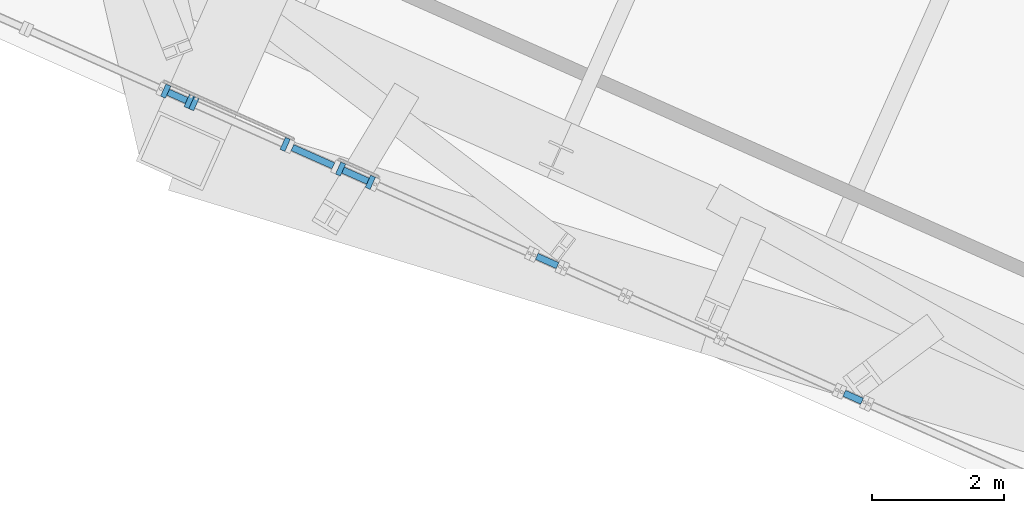
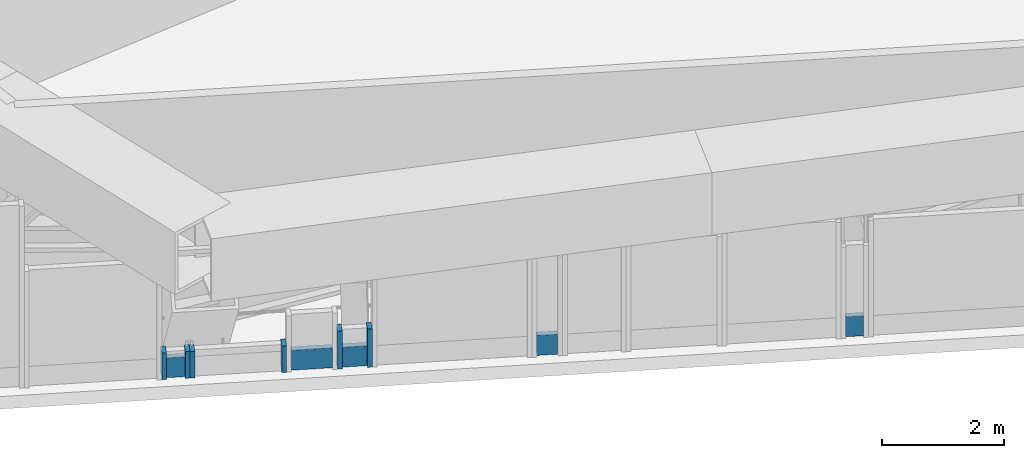
# One storey, part 10 of 30: 11 members, 6 elements without a shape of their own.
"""IFC4 building model written with IfcOpenShell, lengths in metres."""

import ifcopenshell
import ifcopenshell.guid

model = None  # the IFC model being written
_history = None  # IfcOwnerHistory: only IFC2X3 demands one
_inside = {}  # id of a spatial element -> (the spatial element, [elements in it])
_under = {}  # id of a project, library or spatial element -> (it, [spatial elements below it])
_declared = {}  # id of a project -> (the project, [libraries it declares])
_typed = {}  # id of a type object -> (the type object, [elements of that type])
_made_of = {}  # id of a material, layer set ... -> (it, [elements and type objects made of it])


def new_model(schema):
    """Start an empty IFC model of exactly this schema.

    Asked for "IFC4X3", IfcOpenShell would pick the latest addendum, in which some entities
    have other attributes; the version numbers below select the first issue.
    IFC2X3 requires an IfcOwnerHistory on every rooted entity: one is made here for all.
    """
    global model, _history
    if schema == "IFC4X3":
        model = ifcopenshell.file(schema_version=(4, 3, 0, 0))
    else:
        model = ifcopenshell.file(schema=schema)
    _inside.clear()
    _under.clear()
    _declared.clear()
    _typed.clear()
    _made_of.clear()
    _history = None
    if model.schema == "IFC2X3":
        org = make("IfcOrganization", Name="unknown")
        user = make(
            "IfcPersonAndOrganization",
            ThePerson=make("IfcPerson", FamilyName="unknown"),
            TheOrganization=org,
        )
        app = make(
            "IfcApplication",
            ApplicationDeveloper=org,
            Version="unknown",
            ApplicationFullName="unknown",
            ApplicationIdentifier="unknown",
        )
        _history = make(
            "IfcOwnerHistory",
            OwningUser=user,
            OwningApplication=app,
            ChangeAction="ADDED",
            CreationDate=0,
        )
    return model


def make(cls, **values):
    """One entity of the class cls with the attributes given. An attribute that is None is left unset."""
    return model.create_entity(
        cls, **{name: value for name, value in values.items() if value is not None}
    )


def rooted(cls, **values):
    """An entity with a GlobalId (a new one), such as an element, a storey or a relation."""
    return make(cls, GlobalId=ifcopenshell.guid.new(), OwnerHistory=_history, **values)


def si_unit(unit_type, name, prefix=None):
    """IfcSIUnit, for example si_unit("LENGTHUNIT", "METRE", prefix="MILLI")."""
    return make("IfcSIUnit", UnitType=unit_type, Prefix=prefix, Name=name)


def assignment(units):
    """IfcUnitAssignment: the units of a project."""
    return None if units is None else make("IfcUnitAssignment", Units=units)


def point(xyz):
    """IfcCartesianPoint."""
    return None if xyz is None else make("IfcCartesianPoint", Coordinates=xyz)


def direction(xyz):
    """IfcDirection."""
    return None if xyz is None else make("IfcDirection", DirectionRatios=xyz)


def frame(location, z_axis=None, x_axis=None):
    """IfcAxis2Placement3D, a coordinate frame: its origin and axes. An axis left out is left unset."""
    return make(
        "IfcAxis2Placement3D",
        Location=point(location),
        Axis=direction(z_axis),
        RefDirection=direction(x_axis),
    )


def frame_2d(location, x_axis=None):
    """IfcAxis2Placement2D, a coordinate frame in the plane: its origin and x axis."""
    return make(
        "IfcAxis2Placement2D", Location=point(location), RefDirection=direction(x_axis)
    )


def origin():
    """The frame at (0, 0, 0) with its axes left unset."""
    return frame((0.0, 0.0, 0.0))


def origin_2d():
    """The frame at (0, 0) in the plane with its x axis left unset."""
    return frame_2d((0.0, 0.0))


def place(relative_to, where):
    """IfcLocalPlacement: puts the frame where relative to a parent placement (None: the world)."""
    return make(
        "IfcLocalPlacement", PlacementRelTo=relative_to, RelativePlacement=where
    )


def context(
    kind, dimensions, precision=None, world=None, true_north=None, identifier=None
):
    """IfcGeometricRepresentationContext, for example the 3D "Model" context."""
    return make(
        "IfcGeometricRepresentationContext",
        ContextIdentifier=identifier,
        ContextType=kind,
        CoordinateSpaceDimension=dimensions,
        Precision=precision,
        WorldCoordinateSystem=world,
        TrueNorth=true_north,
    )


def subcontext(parent, identifier, kind, view, scale=None):
    """IfcGeometricRepresentationSubContext, for example "Body" below "Model"."""
    return make(
        "IfcGeometricRepresentationSubContext",
        ContextIdentifier=identifier,
        ContextType=kind,
        ParentContext=parent,
        TargetScale=scale,
        TargetView=view,
    )


def project(units=None, contexts=None):
    """IfcProject with its units and contexts."""
    return rooted(
        "IfcProject",
        Name="project",
        RepresentationContexts=contexts,
        UnitsInContext=assignment(units),
    )


def spatial(cls, under=None, at=None, **own):
    """A site, building, storey or space (cls), placed at a placement, below another one or the project."""
    s = rooted(cls, ObjectPlacement=at, **own)
    if under is not None:
        _under.setdefault(under.id(), (under, []))[1].append(s)
    return s


def profile(cls, at=None, kind="AREA", **sizes):
    """A parametric profile (cls). Its sizes go by their IFC names, for example OverallWidth=200.0."""
    return make(cls, ProfileType=kind, Position=at, **sizes)


def rectangle(**sizes):
    """IfcRectangleProfileDef."""
    return profile("IfcRectangleProfileDef", **sizes)


def extrude(swept, where, along, depth):
    """IfcExtrudedAreaSolid: the profile swept, set in the frame where, extruded along a direction by depth."""
    return make(
        "IfcExtrudedAreaSolid",
        SweptArea=swept,
        Position=where,
        ExtrudedDirection=direction(along),
        Depth=depth,
    )


def shape(context_of_items, identifier, shape_type, items):
    """IfcShapeRepresentation: the items that make up one representation, for example the "Body"."""
    return make(
        "IfcShapeRepresentation",
        ContextOfItems=context_of_items,
        RepresentationIdentifier=identifier,
        RepresentationType=shape_type,
        Items=items,
    )


def source(mapping_origin, context_of_items, identifier, shape_type, items):
    """IfcRepresentationMap: a shape defined once, which mapped items show again and again."""
    return make(
        "IfcRepresentationMap",
        MappingOrigin=mapping_origin,
        MappedRepresentation=shape(context_of_items, identifier, shape_type, items),
    )


def transform(
    local_origin,
    x_axis=None,
    y_axis=None,
    z_axis=None,
    scale=None,
    scale2=None,
    scale3=None,
    uniform=True,
):
    """IfcCartesianTransformationOperator3D, or its non-uniform kind. x_axis, y_axis, z_axis: its Axis1, 2, 3."""
    if uniform:
        return make(
            "IfcCartesianTransformationOperator3D",
            Axis1=direction(x_axis),
            Axis2=direction(y_axis),
            LocalOrigin=point(local_origin),
            Scale=scale,
            Axis3=direction(z_axis),
        )
    return make(
        "IfcCartesianTransformationOperator3DnonUniform",
        Axis1=direction(x_axis),
        Axis2=direction(y_axis),
        LocalOrigin=point(local_origin),
        Scale=scale,
        Axis3=direction(z_axis),
        Scale2=scale2,
        Scale3=scale3,
    )


def mapped(mapping_source, mapping_target):
    """IfcMappedItem: shows the shape of a source again, moved by a transform."""
    return make(
        "IfcMappedItem", MappingSource=mapping_source, MappingTarget=mapping_target
    )


def material(Name=None, Category=None):
    """IfcMaterial."""
    return make("IfcMaterial", Name=Name, Category=Category)


def material_profile(
    of_material, cross_section, Name=None, Category=None, Priority=None
):
    """IfcMaterialProfile: a cross section and its material."""
    return make(
        "IfcMaterialProfile",
        Name=Name,
        Material=of_material,
        Profile=cross_section,
        Priority=Priority,
        Category=Category,
    )


def profile_set(profiles, Name=None, composite=None):
    """IfcMaterialProfileSet."""
    return make(
        "IfcMaterialProfileSet",
        Name=Name,
        MaterialProfiles=profiles,
        CompositeProfile=composite,
    )


def made_of(thing, what):
    """Note that an element or type object is made of a material, layer set ...; save() writes the relation."""
    if what is not None:
        _made_of.setdefault(what.id(), (what, []))[1].append(thing)
    return thing


def type_object(cls, material=None, **own):
    """A type object (cls), such as IfcWallType, which elements share."""
    return made_of(rooted(cls, **own), material)


def element(
    cls,
    number,
    at=None,
    inside=None,
    cuts=None,
    type_object=None,
    material=None,
    context=None,
    identifier="Body",
    shape_type=None,
    held_by="IfcProductDefinitionShape",
    body=None,
    shapes=None,
    **own,
):
    """One element of the class cls, such as IfcWall. Its Tag is "e" and its number.

    at: its placement. inside: the storey or other place that contains it. cuts: it is an
    opening in that element (IfcRelVoidsElement). A single representation is given by context,
    identifier, shape_type and body (its items); several are given by shapes. held_by: the class
    of the entity that holds the representations. save() writes the other relations.
    """
    e = rooted(cls, Tag="e%d" % number, ObjectPlacement=at, **own)
    if body is not None:
        shapes = [shape(context, identifier, shape_type, body)]
    if shapes is not None:
        e.Representation = make(held_by, Representations=shapes)
    if inside is not None:
        _inside.setdefault(inside.id(), (inside, []))[1].append(e)
    if cuts is not None:
        rooted(
            "IfcRelVoidsElement", RelatingBuildingElement=cuts, RelatedOpeningElement=e
        )
    if type_object is not None:
        _typed.setdefault(type_object.id(), (type_object, []))[1].append(e)
    return made_of(e, material)


def aggregate(whole, parts):
    """IfcRelAggregates: a whole, such as a stair, and the parts it consists of."""
    return rooted("IfcRelAggregates", RelatingObject=whole, RelatedObjects=parts)


def save(model, path):
    """Write the relations noted so far, then the file.

    IfcRelAggregates (storeys below a building ...), IfcRelContainedInSpatialStructure (elements
    in a storey), IfcRelDefinesByType, IfcRelAssociatesMaterial and IfcRelDeclares: one each for
    every whole, place, type object, material and project.
    """
    for whole, parts in _under.values():
        aggregate(whole, parts)
    for where, things in _inside.values():
        rooted(
            "IfcRelContainedInSpatialStructure",
            RelatedElements=things,
            RelatingStructure=where,
        )
    for kind, things in _typed.values():
        rooted("IfcRelDefinesByType", RelatedObjects=things, RelatingType=kind)
    for what, things in _made_of.values():
        rooted("IfcRelAssociatesMaterial", RelatedObjects=things, RelatingMaterial=what)
    for by, libraries in _declared.values():
        rooted("IfcRelDeclares", RelatingContext=by, RelatedDefinitions=libraries)
    model.write(path)


model = new_model("IFC4")

# Units and contexts
model_context = context("Model", 3, precision=1e-05, world=origin(), true_north=direction((0.0, 1.0)))
body_context = subcontext(model_context, "Body", "Model", "MODEL_VIEW")
ifc_project = project(units=[si_unit("LENGTHUNIT", "METRE"), si_unit("AREAUNIT", "SQUARE_METRE"), si_unit("VOLUMEUNIT", "CUBIC_METRE"), si_unit("PLANEANGLEUNIT", "RADIAN"), si_unit("MASSUNIT", "GRAM", prefix="KILO")], contexts=[model_context])

# Site, building, storey
site_placement = place(None, origin())
site = spatial("IfcSite", under=ifc_project, at=site_placement, CompositionType="ELEMENT")
building_placement = place(site_placement, origin())
building = spatial("IfcBuilding", under=site, at=building_placement, Name="Triune Harvest Tower", CompositionType="ELEMENT")
storey_placement = place(building_placement, frame((0.0, 0.0, 94.5)))
storey = spatial("IfcBuildingStorey", under=building, at=storey_placement, Name="L23", CompositionType="ELEMENT", Elevation=94.5)

# Curtain wall, member
ifc_material_1 = material(Name="Aluminium bronze anodised", Category="aluminium")
curtain_wall_type = type_object("IfcCurtainWallType", Name="CW-5 Plant louvre wall", PredefinedType="NOTDEFINED", material=ifc_material_1)
curtain_wall_1_placement = place(storey_placement, origin())
curtain_wall_1 = element("IfcCurtainWall", 1, at=curtain_wall_1_placement, inside=storey, type_object=curtain_wall_type, Name="CW-5 B2-F5 L23 run 201")
ifc_material_2 = material(Name="Aluminium bronze anodised", Category="aluminium")
ifc_material_profile_1 = material_profile(ifc_material_2, rectangle(XDim=0.10009765625, YDim=0.39990234375, at=origin_2d()), Name="TR-5 transom 100 x 400")
ifc_profile_set_1 = profile_set([ifc_material_profile_1], Name="Aluminium bronze anodised")
member_type_1 = type_object("IfcMemberType", Name="TR-5 transom 100 x 400", PredefinedType="USERDEFINED", material=ifc_profile_set_1)
member_1_placement = place(storey_placement, frame((-30.322509765625, -11.345458984375, 0.199951171875), z_axis=(0.913713143502, -0.406359805335, 0.0), x_axis=(0.406359805335, 0.913713143502, 0.0)))
member_1 = element("IfcMember", 2, at=member_1_placement, type_object=member_type_1, Name="CW-5 transom B2-F5 201.1", ObjectType="TRANSOM", PredefinedType="USERDEFINED", context=body_context, shape_type="SweptSolid", body=[
    extrude(rectangle(XDim=0.10009765625, YDim=0.39990234375, at=origin_2d()), origin(), (0.0, 0.0, 1.0), 0.30712890625),
])

curtain_wall_2_placement = place(storey_placement, origin())
curtain_wall_2 = element("IfcCurtainWall", 3, at=curtain_wall_2_placement, inside=storey, type_object=curtain_wall_type, Name="CW-5 B2-F5 L23 run 401")
member_2_placement = place(storey_placement, frame((-28.443115234375, -12.18212890625, 0.199951171875), z_axis=(0.913499219116, -0.406840480624, 0.0), x_axis=(0.406840480624, 0.913499219116, 0.0)))
member_2 = element("IfcMember", 4, at=member_2_placement, type_object=member_type_1, Name="CW-5 transom B2-F5 401.1", ObjectType="TRANSOM", PredefinedType="USERDEFINED", context=body_context, shape_type="SweptSolid", body=[
    extrude(rectangle(XDim=0.10009765625, YDim=0.39990234375, at=origin_2d()), origin(), (0.0, 0.0, 1.0), 0.677490234375),
])
aggregate(curtain_wall_2, [member_2])

curtain_wall_3_placement = place(storey_placement, origin())
curtain_wall_3 = element("IfcCurtainWall", 5, at=curtain_wall_3_placement, inside=storey, type_object=curtain_wall_type, Name="CW-5 B2-F5 L23 run 701")
member_3_placement = place(storey_placement, frame((-24.7490234375, -13.826904296875, 0.199951171875), z_axis=(0.913547915268, -0.406731123115, 0.0), x_axis=(0.406731123115, 0.913547915268, 0.0)))
member_3 = element("IfcMember", 6, at=member_3_placement, type_object=member_type_1, Name="CW-5 transom B2-F5 701.1", ObjectType="TRANSOM", PredefinedType="USERDEFINED", context=body_context, shape_type="SweptSolid", body=[
    extrude(rectangle(XDim=0.10009765625, YDim=0.39990234375, at=origin_2d()), origin(), (0.0, 0.0, 1.0), 0.343994140625),
])
aggregate(curtain_wall_3, [member_3])

curtain_wall_4_placement = place(storey_placement, origin())
curtain_wall_4 = element("IfcCurtainWall", 7, at=curtain_wall_4_placement, inside=storey, type_object=curtain_wall_type, Name="CW-5 B2-F5 L23 run 1101")
member_4_placement = place(storey_placement, frame((-20.10107421875, -15.896240234375, 0.199951171875), z_axis=(0.91353860632, -0.406752031049, 0.0), x_axis=(0.406752031049, 0.91353860632, 0.0)))
member_4 = element("IfcMember", 8, at=member_4_placement, type_object=member_type_1, Name="CW-5 transom B2-F5 1101.1", ObjectType="TRANSOM", PredefinedType="USERDEFINED", context=body_context, shape_type="SweptSolid", body=[
    extrude(rectangle(XDim=0.10009765625, YDim=0.39990234375, at=origin_2d()), origin(), (0.0, 0.0, 1.0), 0.29541015625),
])
aggregate(curtain_wall_4, [member_4])

# Member
ifc_material_3 = material(Name="Aluminium bronze anodised", Category="aluminium")
ifc_material_profile_2 = material_profile(ifc_material_3, rectangle(XDim=0.199951171875, YDim=0.080078125, at=origin_2d()), Name="MU-5 mullion 80 x 200")
ifc_profile_set_2 = profile_set([ifc_material_profile_2], Name="Aluminium bronze anodised")
member_type_2 = type_object("IfcMemberType", Name="MU-5 mullion 80 x 200", PredefinedType="MULLION", material=ifc_profile_set_2)
shared_shape_1 = source(origin(), body_context, "Body", "SweptSolid", [
    extrude(rectangle(XDim=0.199951171875, YDim=0.080078125, at=origin_2d()), origin(), (0.0, 0.0, 1.0), 0.531982421875),
])
member_5_placement = place(storey_placement, frame((-30.35888671875, -11.3291015625, 0.0), z_axis=(0.0, 0.0, 1.0), x_axis=(0.406595330938, 0.913608360765, 0.0)))
member_5 = element("IfcMember", 9, at=member_5_placement, type_object=member_type_2, Name="CW-5 mullion B2-F5 201.1", PredefinedType="MULLION", context=body_context, shape_type="MappedRepresentation", body=[
    mapped(shared_shape_1, transform((0.0, 0.0, 0.0), scale=1.0)),
])

member_6_placement = place(storey_placement, frame((-30.00537109375, -11.486572265625, 0.0), z_axis=(0.0, 0.0, 1.0), x_axis=(0.406595330938, 0.913608360765, 0.0)))
member_6 = element("IfcMember", 10, at=member_6_placement, type_object=member_type_2, Name="CW-5 mullion B2-F5 201.2", PredefinedType="MULLION", context=body_context, shape_type="MappedRepresentation", body=[
    mapped(shared_shape_1, transform((0.0, 0.0, 0.0), scale=1.0)),
])

aggregate(curtain_wall_1, [member_5, member_6, member_1])

# Curtain wall, members
curtain_wall_5_placement = place(storey_placement, origin())
curtain_wall_5 = element("IfcCurtainWall", 11, at=curtain_wall_5_placement, inside=storey, type_object=curtain_wall_type, Name="CW-5 B2-F5 L23 run 301")
shared_shape_2 = source(origin(), body_context, "Body", "SweptSolid", [
    extrude(rectangle(XDim=0.199951171875, YDim=0.080078125, at=origin_2d()), origin(), (0.0, 0.0, 1.0), 0.5322265625),
])
member_7_placement = place(storey_placement, frame((-29.932373046875, -11.51904296875, 0.0), z_axis=(0.0, 0.0, 1.0), x_axis=(0.406745191827, 0.913541651446, 0.0)))
member_7 = element("IfcMember", 12, at=member_7_placement, type_object=member_type_2, Name="CW-5 mullion B2-F5 301.1", PredefinedType="MULLION", context=body_context, shape_type="MappedRepresentation", body=[
    mapped(shared_shape_2, transform((0.0, 0.0, 0.0), scale=1.0)),
])
member_8_placement = place(storey_placement, frame((-28.552734375, -12.13330078125, 0.0), z_axis=(0.0, 0.0, 1.0), x_axis=(0.406745191827, 0.913541651446, 0.0)))
member_8 = element("IfcMember", 13, at=member_8_placement, type_object=member_type_2, Name="CW-5 mullion B2-F5 301.2", PredefinedType="MULLION", context=body_context, shape_type="MappedRepresentation", body=[
    mapped(shared_shape_2, transform((0.0, 0.0, 0.0), scale=1.0)),
])
aggregate(curtain_wall_5, [member_7, member_8])

curtain_wall_6_placement = place(storey_placement, origin())
curtain_wall_6 = element("IfcCurtainWall", 14, at=curtain_wall_6_placement, inside=storey, type_object=curtain_wall_type, Name="CW-5 B2-F5 L23 run 501")
shared_shape_3 = source(origin(), body_context, "Body", "SweptSolid", [
    extrude(rectangle(XDim=0.199951171875, YDim=0.080078125, at=origin_2d()), origin(), (0.0, 0.0, 1.0), 0.762939453125),
])
member_9_placement = place(storey_placement, frame((-27.714599609375, -12.50634765625, 0.0), z_axis=(0.0, 0.0, 1.0), x_axis=(0.406689017692, 0.913566660342, 0.0)))
member_9 = element("IfcMember", 15, at=member_9_placement, type_object=member_type_2, Name="CW-5 mullion B2-F5 501.1", PredefinedType="MULLION", context=body_context, shape_type="MappedRepresentation", body=[
    mapped(shared_shape_3, transform((0.0, 0.0, 0.0), scale=1.0)),
])
member_10_placement = place(storey_placement, frame((-27.264404296875, -12.70703125, 0.0), z_axis=(0.0, 0.0, 1.0), x_axis=(0.406689017692, 0.913566660342, 0.0)))
member_10 = element("IfcMember", 16, at=member_10_placement, type_object=member_type_2, Name="CW-5 mullion B2-F5 501.2", PredefinedType="MULLION", context=body_context, shape_type="MappedRepresentation", body=[
    mapped(shared_shape_3, transform((0.0, 0.0, 0.0), scale=1.0)),
])
shared_shape_4 = source(origin(), body_context, "Body", "SweptSolid", [
    extrude(rectangle(XDim=0.10009765625, YDim=0.39990234375, at=origin_2d()), origin(), (0.0, 0.0, 1.0), 0.4130859375),
])
member_11_placement = place(storey_placement, frame((-27.67822265625, -12.522705078125, 0.199951171875), z_axis=(0.913616489101, -0.406577066301, 0.0), x_axis=(0.406577066301, 0.913616489101, 0.0)))
member_11 = element("IfcMember", 17, at=member_11_placement, type_object=member_type_1, Name="CW-5 transom B2-F5 501.1", ObjectType="TRANSOM", PredefinedType="USERDEFINED", context=body_context, shape_type="MappedRepresentation", body=[
    mapped(shared_shape_4, transform((0.0, 0.0, 0.0), scale=1.0)),
])
aggregate(curtain_wall_6, [member_9, member_10, member_11])

save(model, "model.ifc")
